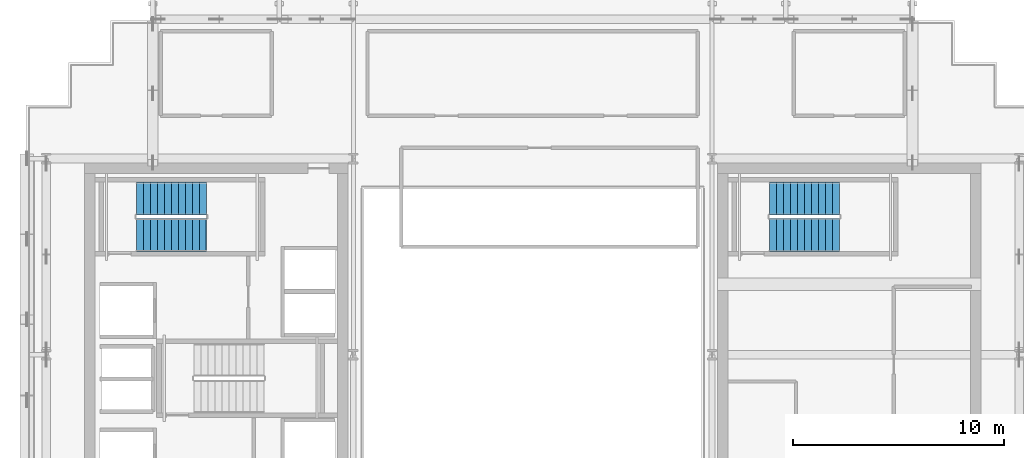
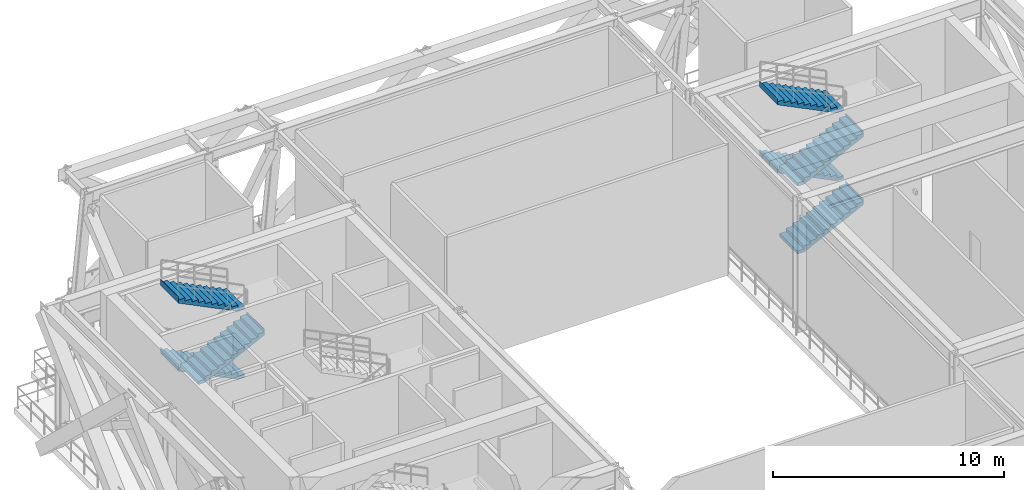
# One storey, part 8 of 13: 7 stair flights, 2 elements without a shape of their own.
"""IFC4 building model written with IfcOpenShell, lengths in metres."""

from ifc_helpers import new_model, si_unit, direction, frame, origin, place, context, subcontext, project, spatial, polyline, outline, extrude, source, transform, mapped, material, type_object, element, aggregate, save


model = new_model("IFC4")

# Units and contexts
model_context = context("Model", 3, precision=1e-05, world=origin(), true_north=direction((0.0, 1.0)))
body_context = subcontext(model_context, "Body", "Model", "MODEL_VIEW")
ifc_project = project(units=[si_unit("LENGTHUNIT", "METRE"), si_unit("AREAUNIT", "SQUARE_METRE"), si_unit("VOLUMEUNIT", "CUBIC_METRE"), si_unit("PLANEANGLEUNIT", "RADIAN"), si_unit("MASSUNIT", "GRAM", prefix="KILO")], contexts=[model_context])

# Site, building, storey
site_placement = place(None, origin())
site = spatial("IfcSite", under=ifc_project, at=site_placement, CompositionType="ELEMENT")
building_placement = place(site_placement, origin())
building = spatial("IfcBuilding", under=site, at=building_placement, Name="Ocotamira Hotel", CompositionType="ELEMENT")
storey_placement = place(building_placement, frame((0.0, 0.0, 220.800048828125)))
storey = spatial("IfcBuildingStorey", under=building, at=storey_placement, Name="L56", CompositionType="ELEMENT", Elevation=220.800048828125)

# Stair, stair flights
ifc_material = material(Name="Concrete C40/50", Category="concrete")
stair_type = type_object("IfcStairType", Name="ST-CORE-1560", PredefinedType="HALF_TURN_STAIR", material=ifc_material)
stair_1_placement = place(storey_placement, origin())
stair_1 = element("IfcStair", 1, at=stair_1_placement, inside=storey, type_object=stair_type, Name="L56 Exit Stair ST-2", PredefinedType="HALF_TURN_STAIR")
stair_flight_type = type_object("IfcStairFlightType", Name="STF-CORE-1560", PredefinedType="STRAIGHT", material=ifc_material)
shared_shape = source(origin(), body_context, "Body", "SweptSolid", [
    extrude(outline(polyline([(-0.00390625, 0.0), (-0.00390625, 0.16357421875), (0.330078125, 0.16357421875), (0.330078125, 0.327392578125), (0.659912109375, 0.327392578125), (0.659912109375, 0.490966796875), (0.989990234375, 0.490966796875), (0.989990234375, 0.654541015625), (1.320068359375, 0.654541015625), (1.320068359375, 0.818115234375), (1.64990234375, 0.818115234375), (1.64990234375, 0.98193359375), (1.97998046875, 0.98193359375), (1.97998046875, 1.1455078125), (2.31005859375, 1.1455078125), (2.31005859375, 1.30908203125), (2.639892578125, 1.30908203125), (2.639892578125, 1.47265625), (2.969970703125, 1.47265625), (2.969970703125, 1.636474609375), (3.300048828125, 1.636474609375), (3.300048828125, 1.800048828125), (3.303955078125, 1.800048828125), (3.303955078125, 1.468994140625), (0.33740234375, 0.0), (-0.00390625, 0.0)])), frame((0.0, 0.780029296875, 0.0), z_axis=(0.0, -1.0, 0.0), x_axis=(1.0, 0.0, 0.0)), (0.0, 0.0, 1.0), 1.56005859375),
])
stair_flight_1_placement = place(storey_placement, frame((16.530029296875, 35.550048828125, 1.800048828125), z_axis=(0.0, 0.0, 1.0), x_axis=(-1.0, 0.0, 0.0)))
stair_flight_1 = element("IfcStairFlight", 2, at=stair_flight_1_placement, type_object=stair_flight_type, Name="ST-2 flight 2", NumberOfRisers=11, NumberOfTreads=10, PredefinedType="STRAIGHT", RiserHeight=0.163636364, TreadLength=0.33, context=body_context, shape_type="MappedRepresentation", body=[
    mapped(shared_shape, transform((0.0, 0.0, 0.0), scale=1.0)),
])
stair_flight_2_placement = place(storey_placement, frame((13.22998046875, 33.830078125, 3.599853515625), z_axis=(0.0, 0.0, 1.0), x_axis=(1.0, 0.0, 0.0)))
stair_flight_2 = element("IfcStairFlight", 3, at=stair_flight_2_placement, type_object=stair_flight_type, Name="ST-2 flight 3", NumberOfRisers=11, NumberOfTreads=10, PredefinedType="STRAIGHT", RiserHeight=0.163636364, TreadLength=0.33, context=body_context, shape_type="MappedRepresentation", body=[
    mapped(shared_shape, transform((0.0, 0.0, 0.0), scale=1.0)),
])
stair_flight_3_placement = place(storey_placement, frame((16.530029296875, 35.550048828125, 5.39990234375), z_axis=(0.0, 0.0, 1.0), x_axis=(-1.0, 0.0, 0.0)))
stair_flight_3 = element("IfcStairFlight", 4, at=stair_flight_3_placement, type_object=stair_flight_type, Name="ST-2 flight 4", NumberOfRisers=11, NumberOfTreads=10, PredefinedType="STRAIGHT", RiserHeight=0.163636364, TreadLength=0.33, context=body_context, shape_type="MappedRepresentation", body=[
    mapped(shared_shape, transform((0.0, 0.0, 0.0), scale=1.0)),
])
aggregate(stair_1, [stair_flight_1, stair_flight_2, stair_flight_3])

stair_2_placement = place(storey_placement, origin())
stair_2 = element("IfcStair", 5, at=stair_2_placement, inside=storey, type_object=stair_type, Name="L56 Exit Stair ST-4", PredefinedType="HALF_TURN_STAIR")
stair_flight_4_placement = place(storey_placement, frame((43.22998046875, 33.830078125, 0.0), z_axis=(0.0, 0.0, 1.0), x_axis=(1.0, 0.0, 0.0)))
stair_flight_4 = element("IfcStairFlight", 6, at=stair_flight_4_placement, type_object=stair_flight_type, Name="ST-4 flight 1", NumberOfRisers=11, NumberOfTreads=10, PredefinedType="STRAIGHT", RiserHeight=0.163636364, TreadLength=0.33, context=body_context, shape_type="MappedRepresentation", body=[
    mapped(shared_shape, transform((0.0, 0.0, 0.0), scale=1.0)),
])
stair_flight_5_placement = place(storey_placement, frame((46.530029296875, 35.550048828125, 1.800048828125), z_axis=(0.0, 0.0, 1.0), x_axis=(-1.0, 0.0, 0.0)))
stair_flight_5 = element("IfcStairFlight", 7, at=stair_flight_5_placement, type_object=stair_flight_type, Name="ST-4 flight 2", NumberOfRisers=11, NumberOfTreads=10, PredefinedType="STRAIGHT", RiserHeight=0.163636364, TreadLength=0.33, context=body_context, shape_type="MappedRepresentation", body=[
    mapped(shared_shape, transform((0.0, 0.0, 0.0), scale=1.0)),
])
stair_flight_6_placement = place(storey_placement, frame((43.22998046875, 33.830078125, 3.599853515625), z_axis=(0.0, 0.0, 1.0), x_axis=(1.0, 0.0, 0.0)))
stair_flight_6 = element("IfcStairFlight", 8, at=stair_flight_6_placement, type_object=stair_flight_type, Name="ST-4 flight 3", NumberOfRisers=11, NumberOfTreads=10, PredefinedType="STRAIGHT", RiserHeight=0.163636364, TreadLength=0.33, context=body_context, shape_type="MappedRepresentation", body=[
    mapped(shared_shape, transform((0.0, 0.0, 0.0), scale=1.0)),
])
stair_flight_7_placement = place(storey_placement, frame((46.530029296875, 35.550048828125, 5.39990234375), z_axis=(0.0, 0.0, 1.0), x_axis=(-1.0, 0.0, 0.0)))
stair_flight_7 = element("IfcStairFlight", 9, at=stair_flight_7_placement, type_object=stair_flight_type, Name="ST-4 flight 4", NumberOfRisers=11, NumberOfTreads=10, PredefinedType="STRAIGHT", RiserHeight=0.163636364, TreadLength=0.33, context=body_context, shape_type="MappedRepresentation", body=[
    mapped(shared_shape, transform((0.0, 0.0, 0.0), scale=1.0)),
])
aggregate(stair_2, [stair_flight_4, stair_flight_5, stair_flight_6, stair_flight_7])

save(model, "model.ifc")
